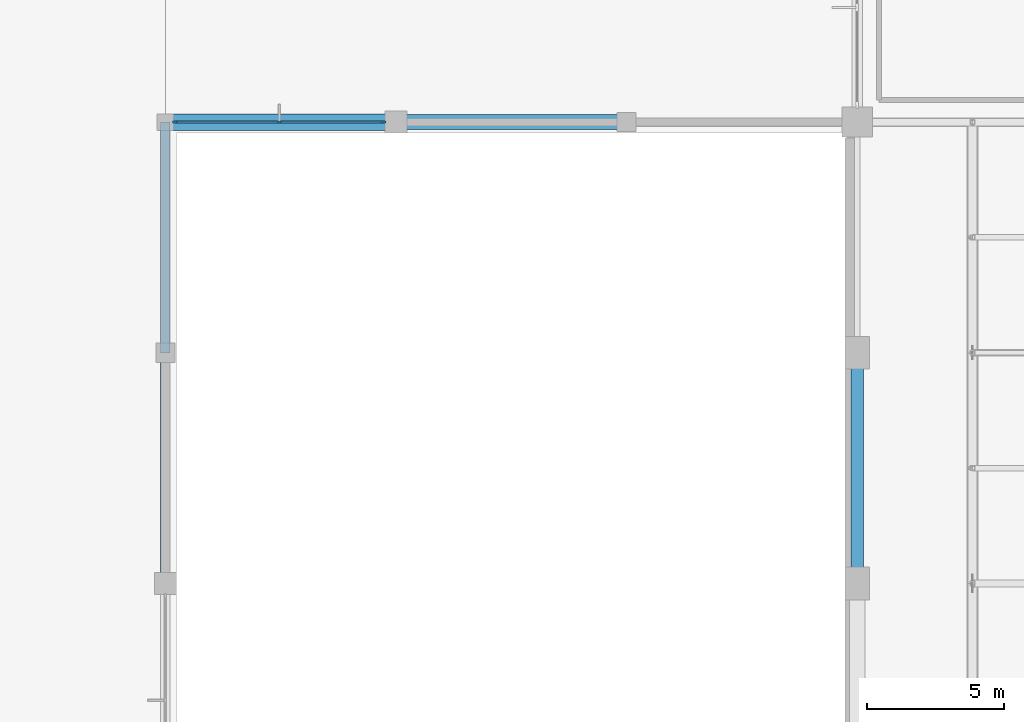
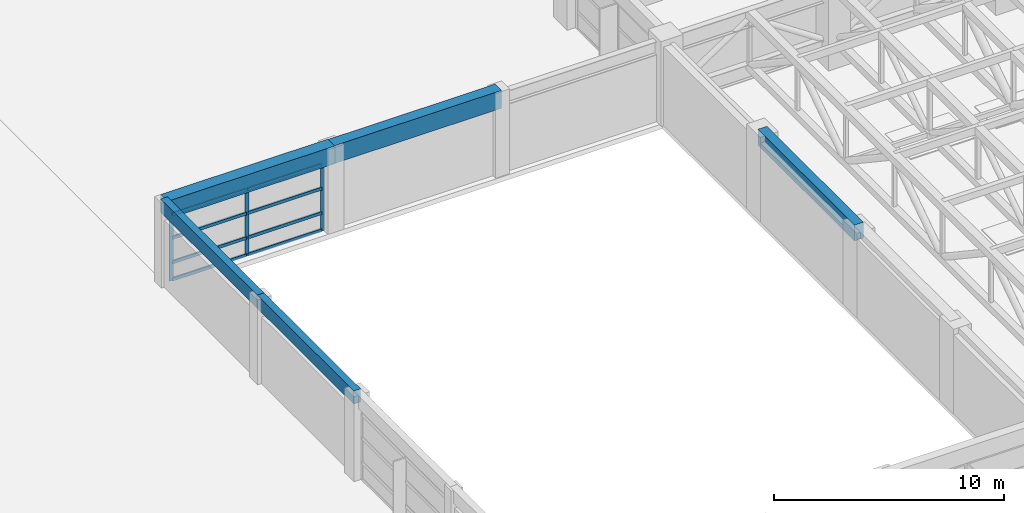
# One storey, part 23 of 47: 11 members, 5 beams, 1 element without a shape of its own.
"""IFC4 building model written with IfcOpenShell, lengths in metres."""

from ifc_helpers import new_model, si_unit, direction, frame, origin, origin_2d, place, context, subcontext, project, spatial, rectangle, extrude, material, material_profile, profile_set, type_object, element, aggregate, save


model = new_model("IFC4")

# Units and contexts
model_context = context("Model", 3, precision=1e-05, world=origin(), true_north=direction((0.0, 1.0)))
body_context = subcontext(model_context, "Body", "Model", "MODEL_VIEW")
ifc_project = project(units=[si_unit("LENGTHUNIT", "METRE"), si_unit("AREAUNIT", "SQUARE_METRE"), si_unit("VOLUMEUNIT", "CUBIC_METRE"), si_unit("PLANEANGLEUNIT", "RADIAN"), si_unit("MASSUNIT", "GRAM", prefix="KILO")], contexts=[model_context])

# Site, building, storey
site_placement = place(None, origin())
site = spatial("IfcSite", under=ifc_project, at=site_placement, CompositionType="ELEMENT")
building_placement = place(site_placement, origin())
building = spatial("IfcBuilding", under=site, at=building_placement, Name="Xuanlan Plaza Opera House", CompositionType="ELEMENT")
storey_placement = place(building_placement, frame((0.0, 0.0, 23.39990234375)))
storey = spatial("IfcBuildingStorey", under=building, at=storey_placement, Name="L05", CompositionType="ELEMENT", Elevation=23.39990234375)

# Curtain wall, members
ifc_material_1 = material(Name="Anodised Aluminium 6063-T6 and Low-E Glass", Category="aluminium")
curtain_wall_type = type_object("IfcCurtainWallType", Name="ENV-CW-CW-03", PredefinedType="USERDEFINED", material=ifc_material_1)
curtain_wall_placement = place(storey_placement, origin())
curtain_wall = element("IfcCurtainWall", 1, at=curtain_wall_placement, inside=storey, type_object=curtain_wall_type, Name="Unitised Curtain Wall L05-036", ObjectType="UNITISED CURTAIN WALL", PredefinedType="USERDEFINED")
ifc_material_2 = material(Name="Anodised Aluminium 6063-T6", Category="aluminium")
ifc_material_profile_1 = material_profile(ifc_material_2, rectangle(XDim=0.074951171875, YDim=0.199951171875, at=origin_2d()), Name="ALU-M 75x200")
ifc_profile_set_1 = profile_set([ifc_material_profile_1], Name="Anodised Aluminium 6063-T6")
member_type_1 = type_object("IfcMemberType", Name="ENV-CWM-03", PredefinedType="MULLION", material=ifc_profile_set_1)
member_1_placement = place(storey_placement, frame((49.9423828125, 75.60009765625, 0.0), z_axis=(0.0, 0.0, 1.0), x_axis=(0.0, -1.0, 0.0)))
member_1 = element("IfcMember", 2, at=member_1_placement, type_object=member_type_1, Name="CW-03 mullion 1", PredefinedType="MULLION", context=body_context, shape_type="SweptSolid", body=[
    extrude(rectangle(XDim=0.074951171875, YDim=0.199951171875, at=origin_2d()), origin(), (0.0, 0.0, 1.0), 3.5400390625),
])
member_2_placement = place(storey_placement, frame((46.14990234375, 75.60009765625, 0.0), z_axis=(0.0, 0.0, 1.0), x_axis=(0.0, -1.0, 0.0)))
member_2 = element("IfcMember", 3, at=member_2_placement, type_object=member_type_1, Name="CW-03 mullion 2", PredefinedType="MULLION", context=body_context, shape_type="SweptSolid", body=[
    extrude(rectangle(XDim=0.074951171875, YDim=0.199951171875, at=origin_2d()), origin(), (0.0, 0.0, 1.0), 3.5400390625),
])
member_3_placement = place(storey_placement, frame((42.357421875, 75.60009765625, 0.0), z_axis=(0.0, 0.0, 1.0), x_axis=(0.0, -1.0, 0.0)))
member_3 = element("IfcMember", 4, at=member_3_placement, type_object=member_type_1, Name="CW-03 mullion 3", PredefinedType="MULLION", context=body_context, shape_type="SweptSolid", body=[
    extrude(rectangle(XDim=0.074951171875, YDim=0.199951171875, at=origin_2d()), origin(), (0.0, 0.0, 1.0), 3.5400390625),
])
ifc_material_profile_2 = material_profile(ifc_material_2, rectangle(XDim=0.080078125, YDim=0.1650390625, at=origin_2d()), Name="ALU-T 80x165")
ifc_profile_set_2 = profile_set([ifc_material_profile_2], Name="Anodised Aluminium 6063-T6")
member_type_2 = type_object("IfcMemberType", Name="ENV-CWT-04", PredefinedType="USERDEFINED", material=ifc_profile_set_2)
member_4_placement = place(storey_placement, frame((49.905029296875, 75.60009765625, 0.0400390625), z_axis=(-1.0, 0.0, 0.0), x_axis=(0.0, -1.0, 0.0)))
member_4 = element("IfcMember", 5, at=member_4_placement, type_object=member_type_2, Name="CW-03 transom 1.1", ObjectType="TRANSOM", PredefinedType="USERDEFINED", context=body_context, shape_type="SweptSolid", body=[
    extrude(rectangle(XDim=0.080078125, YDim=0.1650390625, at=origin_2d()), origin(), (0.0, 0.0, 1.0), 3.717529296875),
])
member_5_placement = place(storey_placement, frame((49.905029296875, 75.60009765625, 0.9501953125), z_axis=(-1.0, 0.0, 0.0), x_axis=(0.0, -1.0, 0.0)))
member_5 = element("IfcMember", 6, at=member_5_placement, type_object=member_type_2, Name="CW-03 transom 1.2", ObjectType="TRANSOM", PredefinedType="USERDEFINED", context=body_context, shape_type="SweptSolid", body=[
    extrude(rectangle(XDim=0.080078125, YDim=0.1650390625, at=origin_2d()), origin(), (0.0, 0.0, 1.0), 3.717529296875),
])
member_6_placement = place(storey_placement, frame((49.905029296875, 75.60009765625, 2.25), z_axis=(-1.0, 0.0, 0.0), x_axis=(0.0, -1.0, 0.0)))
member_6 = element("IfcMember", 7, at=member_6_placement, type_object=member_type_2, Name="CW-03 transom 1.3", ObjectType="TRANSOM", PredefinedType="USERDEFINED", context=body_context, shape_type="SweptSolid", body=[
    extrude(rectangle(XDim=0.080078125, YDim=0.1650390625, at=origin_2d()), origin(), (0.0, 0.0, 1.0), 3.717529296875),
])
member_7_placement = place(storey_placement, frame((49.905029296875, 75.60009765625, 3.5), z_axis=(-1.0, 0.0, 0.0), x_axis=(0.0, -1.0, 0.0)))
member_7 = element("IfcMember", 8, at=member_7_placement, type_object=member_type_2, Name="CW-03 transom 1.4", ObjectType="TRANSOM", PredefinedType="USERDEFINED", context=body_context, shape_type="SweptSolid", body=[
    extrude(rectangle(XDim=0.080078125, YDim=0.1650390625, at=origin_2d()), origin(), (0.0, 0.0, 1.0), 3.717529296875),
])
member_8_placement = place(storey_placement, frame((46.112548828125, 75.60009765625, 0.0400390625), z_axis=(-1.0, 0.0, 0.0), x_axis=(0.0, -1.0, 0.0)))
member_8 = element("IfcMember", 9, at=member_8_placement, type_object=member_type_2, Name="CW-03 transom 2.1", ObjectType="TRANSOM", PredefinedType="USERDEFINED", context=body_context, shape_type="SweptSolid", body=[
    extrude(rectangle(XDim=0.080078125, YDim=0.1650390625, at=origin_2d()), origin(), (0.0, 0.0, 1.0), 3.717529296875),
])
member_9_placement = place(storey_placement, frame((46.112548828125, 75.60009765625, 0.9501953125), z_axis=(-1.0, 0.0, 0.0), x_axis=(0.0, -1.0, 0.0)))
member_9 = element("IfcMember", 10, at=member_9_placement, type_object=member_type_2, Name="CW-03 transom 2.2", ObjectType="TRANSOM", PredefinedType="USERDEFINED", context=body_context, shape_type="SweptSolid", body=[
    extrude(rectangle(XDim=0.080078125, YDim=0.1650390625, at=origin_2d()), origin(), (0.0, 0.0, 1.0), 3.717529296875),
])
member_10_placement = place(storey_placement, frame((46.112548828125, 75.60009765625, 2.25), z_axis=(-1.0, 0.0, 0.0), x_axis=(0.0, -1.0, 0.0)))
member_10 = element("IfcMember", 11, at=member_10_placement, type_object=member_type_2, Name="CW-03 transom 2.3", ObjectType="TRANSOM", PredefinedType="USERDEFINED", context=body_context, shape_type="SweptSolid", body=[
    extrude(rectangle(XDim=0.080078125, YDim=0.1650390625, at=origin_2d()), origin(), (0.0, 0.0, 1.0), 3.717529296875),
])
member_11_placement = place(storey_placement, frame((46.112548828125, 75.60009765625, 3.5), z_axis=(-1.0, 0.0, 0.0), x_axis=(0.0, -1.0, 0.0)))
member_11 = element("IfcMember", 12, at=member_11_placement, type_object=member_type_2, Name="CW-03 transom 2.4", ObjectType="TRANSOM", PredefinedType="USERDEFINED", context=body_context, shape_type="SweptSolid", body=[
    extrude(rectangle(XDim=0.080078125, YDim=0.1650390625, at=origin_2d()), origin(), (0.0, 0.0, 1.0), 3.717529296875),
])
aggregate(curtain_wall, [member_1, member_2, member_3, member_4, member_5, member_6, member_7, member_8, member_9, member_10, member_11])

# Beams
ifc_material_3 = material(Name="Concrete C50", Category="concrete")
ifc_material_profile_3 = material_profile(ifc_material_3, rectangle(XDim=0.60009765625, YDim=0.949951171875, at=origin_2d()), Name="RC-BM 600x950")
ifc_profile_set_3 = profile_set([ifc_material_profile_3], Name="Concrete C50")
beam_type_1 = type_object("IfcBeamType", Name="STR-BM-B-01", PredefinedType="BEAM", material=ifc_profile_set_3)
beam_1_placement = place(storey_placement, frame((42.0, 75.60009765625, 4.025146484375), z_axis=(1.0, 0.0, 0.0), x_axis=(0.0, 1.0, 0.0)))
element("IfcBeam", 13, at=beam_1_placement, inside=storey, type_object=beam_type_1, Name="Grid Beam X L05 6-7/J", PredefinedType="BEAM", context=body_context, shape_type="SweptSolid", body=[
    extrude(rectangle(XDim=0.60009765625, YDim=0.949951171875, at=origin_2d()), origin(), (0.0, 0.0, 1.0), 8.39990234375),
])
ifc_material_profile_4 = material_profile(ifc_material_3, rectangle(XDim=0.550048828125, YDim=0.949951171875, at=origin_2d()), Name="RC-BM 550x950")
ifc_profile_set_4 = profile_set([ifc_material_profile_4], Name="Concrete C50")
beam_type_2 = type_object("IfcBeamType", Name="STR-BM-B-02", PredefinedType="BEAM", material=ifc_profile_set_4)
beam_2_placement = place(storey_placement, frame((50.39990234375, 75.60009765625, 4.025146484375), z_axis=(1.0, 0.0, 0.0), x_axis=(0.0, 1.0, 0.0)))
element("IfcBeam", 14, at=beam_2_placement, inside=storey, type_object=beam_type_2, Name="Grid Beam X L05 7-8/J", PredefinedType="BEAM", context=body_context, shape_type="SweptSolid", body=[
    extrude(rectangle(XDim=0.550048828125, YDim=0.949951171875, at=origin_2d()), origin(), (0.0, 0.0, 1.0), 8.400146484375),
])
ifc_material_4 = material(Name="Concrete C40", Category="concrete")
ifc_material_profile_5 = material_profile(ifc_material_4, rectangle(XDim=0.449951171875, YDim=0.85009765625, at=origin_2d()), Name="RC-BM 450x850")
ifc_profile_set_5 = profile_set([ifc_material_profile_5], Name="Concrete C40")
beam_type_3 = type_object("IfcBeamType", Name="STR-BM-B-04", PredefinedType="BEAM", material=ifc_profile_set_5)
beam_3_placement = place(storey_placement, frame((67.199951171875, 58.800048828125, 4.0751953125), z_axis=(0.0, 1.0, 0.0), x_axis=(-1.0, 0.0, 0.0)))
element("IfcBeam", 15, at=beam_3_placement, inside=storey, type_object=beam_type_3, Name="Grid Beam Y L05 9/H-I", PredefinedType="BEAM", context=body_context, shape_type="SweptSolid", body=[
    extrude(rectangle(XDim=0.449951171875, YDim=0.85009765625, at=origin_2d()), origin(), (0.0, 0.0, 1.0), 8.39990234375),
])
ifc_material_profile_6 = material_profile(ifc_material_4, rectangle(XDim=0.35009765625, YDim=0.699951171875, at=origin_2d()), Name="RC-SPD 350x700")
ifc_profile_set_6 = profile_set([ifc_material_profile_6], Name="Concrete C40")
beam_type_4 = type_object("IfcBeamType", Name="STR-BM-SP-02", PredefinedType="SPANDREL", material=ifc_profile_set_6)
beam_4_placement = place(storey_placement, frame((42.0, 58.800048828125, 4.150146484375), z_axis=(0.0, 1.0, 0.0), x_axis=(-1.0, 0.0, 0.0)))
element("IfcBeam", 16, at=beam_4_placement, inside=storey, type_object=beam_type_4, Name="Grid Beam Y L05 6/H-I", PredefinedType="SPANDREL", context=body_context, shape_type="SweptSolid", body=[
    extrude(rectangle(XDim=0.35009765625, YDim=0.699951171875, at=origin_2d()), origin(), (0.0, 0.0, 1.0), 8.39990234375),
])
beam_5_placement = place(storey_placement, frame((42.0, 67.199951171875, 4.150146484375), z_axis=(0.0, 1.0, 0.0), x_axis=(-1.0, 0.0, 0.0)))
element("IfcBeam", 17, at=beam_5_placement, inside=storey, type_object=beam_type_4, Name="Grid Beam Y L05 6/I-J", PredefinedType="SPANDREL", context=body_context, shape_type="SweptSolid", body=[
    extrude(rectangle(XDim=0.35009765625, YDim=0.699951171875, at=origin_2d()), origin(), (0.0, 0.0, 1.0), 8.400146484375),
])

save(model, "model.ifc")
